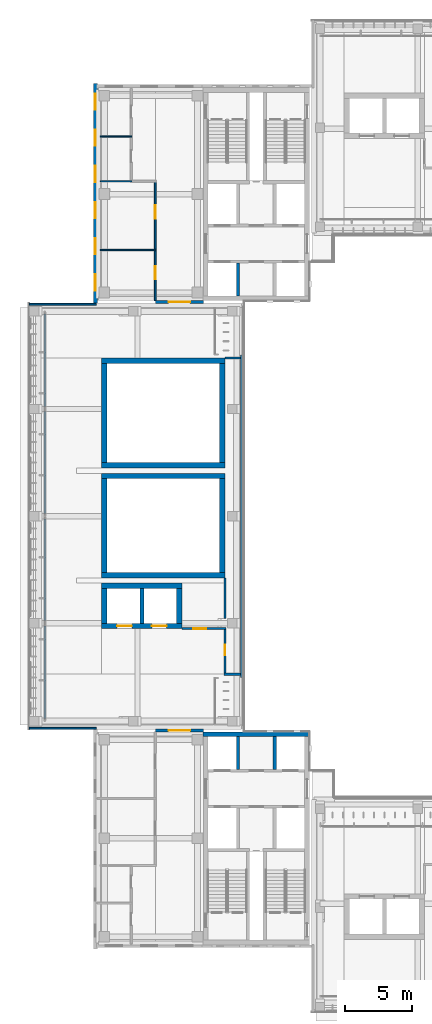
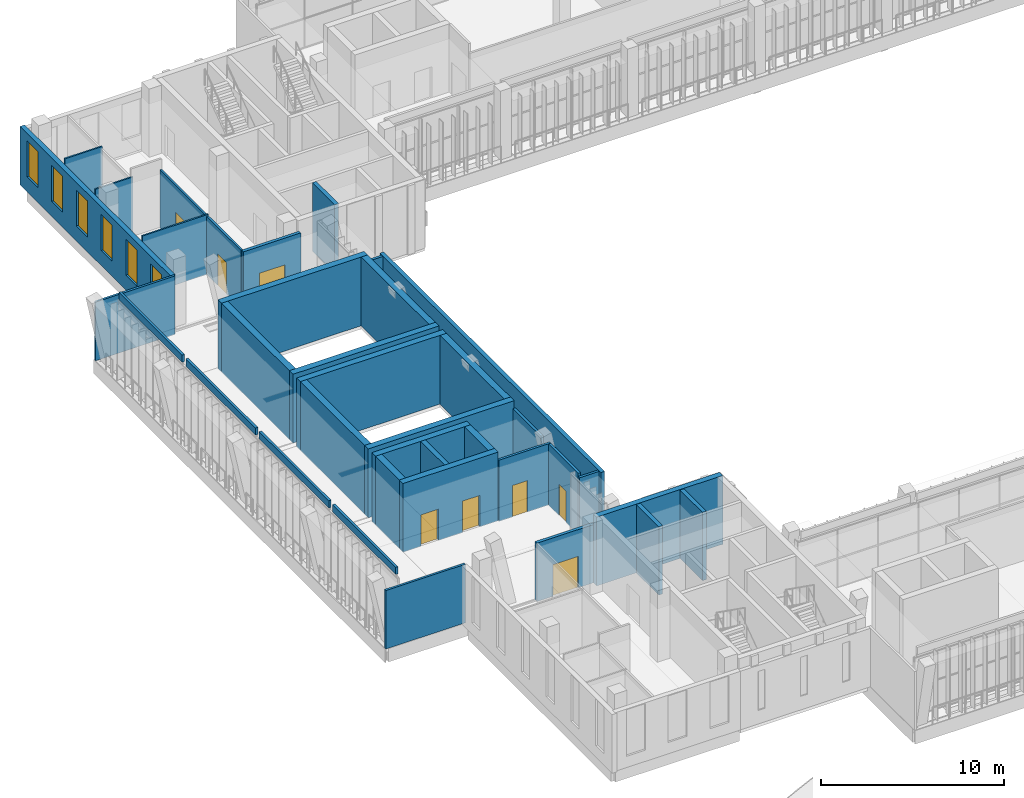
# One storey, part 46 of 73: 36 walls, 8 doors, 6 windows, 14 openings.
"""IFC4 building model written with IfcOpenShell, lengths in metres."""

from ifc_helpers import new_model, si_unit, direction, frame, frame_2d, origin, place, context, subcontext, project, spatial, rectangle, extrude, material, layer, layer_set, type_object, element, fill, save


model = new_model("IFC4")

# Units and contexts
model_context = context("Model", 3, precision=1e-05, world=origin(), true_north=direction((0.0, 1.0)))
body_context = subcontext(model_context, "Body", "Model", "MODEL_VIEW")
ifc_project = project(units=[si_unit("LENGTHUNIT", "METRE"), si_unit("AREAUNIT", "SQUARE_METRE"), si_unit("VOLUMEUNIT", "CUBIC_METRE"), si_unit("PLANEANGLEUNIT", "RADIAN"), si_unit("MASSUNIT", "GRAM", prefix="KILO")], contexts=[model_context])

# Site, building, storey
site_placement = place(None, origin())
site = spatial("IfcSite", under=ifc_project, at=site_placement, CompositionType="ELEMENT")
building_placement = place(site_placement, origin())
building = spatial("IfcBuilding", under=site, at=building_placement, Name="Lantern Court Media Centre", CompositionType="ELEMENT")
storey_placement = place(building_placement, frame((0.0, 0.0, 24.0)))
storey = spatial("IfcBuildingStorey", under=building, at=storey_placement, Name="L05", CompositionType="ELEMENT", Elevation=24.0)

# Wall, openings, doors
ifc_material_1 = material(Name="Gypsum board partition")
ifc_layer_1 = layer(ifc_material_1, 0.125)
ifc_layer_set_1 = layer_set([ifc_layer_1], Name="Gypsum board partition")
wall_type_1 = type_object("IfcWallType", Name="Corridor partition 125", PredefinedType="PARTITIONING", material=ifc_layer_set_1)
wall_1_placement = place(storey_placement, frame((12.39990234375, 96.10009765625, 0.0), z_axis=(0.0, 0.0, 1.0), x_axis=(0.0, 1.0, 0.0)))
wall_1 = element("IfcWall", 1, at=wall_1_placement, inside=storey, type_object=wall_type_1, Name="L05 partition 026", PredefinedType="PARTITIONING", context=body_context, shape_type="SweptSolid", body=[
    extrude(rectangle(XDim=8.843994140625, YDim=0.125, at=frame_2d((4.421875, 0.0))), origin(), (0.0, 0.0, 1.0), 3.8798828125),
])
opening_1_placement = place(wall_1_placement, frame((6.117431640625, 0.0, 0.0)))
opening_1 = element("IfcOpeningElement", 2, at=opening_1_placement, cuts=wall_1, Name="Opening L05-023", PredefinedType="OPENING", context=body_context, shape_type="SweptSolid", body=[
    extrude(rectangle(XDim=1.0, YDim=2.10009765625, at=frame_2d((0.5, 1.050048828125))), frame((0.0, 0.072509765625, 0.0), z_axis=(0.0, -1.0, 0.0), x_axis=(1.0, 0.0, 0.0)), (0.0, 0.0, 1.0), 0.14501953125),
])
opening_2_placement = place(wall_1_placement, frame((1.5751953125, 0.0, 0.0)))
opening_2 = element("IfcOpeningElement", 3, at=opening_2_placement, cuts=wall_1, Name="Opening L05-024", PredefinedType="OPENING", context=body_context, shape_type="SweptSolid", body=[
    extrude(rectangle(XDim=1.0, YDim=2.10009765625, at=frame_2d((0.5, 1.050048828125))), frame((0.0, 0.072509765625, 0.0), z_axis=(0.0, -1.0, 0.0), x_axis=(1.0, 0.0, 0.0)), (0.0, 0.0, 1.0), 0.14501953125),
])
ifc_material_2 = material(Name="Solid-core timber door leaf", Category="wood")
door_type_1 = type_object("IfcDoorType", Name="Single door 1000x2100", OperationType="NOTDEFINED", PredefinedType="DOOR", material=ifc_material_2)
door_1_placement = place(opening_1_placement, origin())
door_1 = element("IfcDoor", 4, at=door_1_placement, inside=storey, type_object=door_type_1, Name="L05 Production Office 12 door", OperationType="SINGLE_SWING_RIGHT", OverallHeight=2.10009765625, OverallWidth=1.0, PredefinedType="DOOR", context=body_context, shape_type="SweptSolid", body=[
    extrude(rectangle(XDim=1.0, YDim=2.10009765625, at=frame_2d((0.5, 1.050048828125))), frame((0.0, 0.02490234375, 0.0), z_axis=(0.0, -1.0, 0.0), x_axis=(1.0, 0.0, 0.0)), (0.0, 0.0, 1.0), 0.050048828125),
])
fill(opening_1, door_1)
door_2_placement = place(opening_2_placement, origin())
door_2 = element("IfcDoor", 5, at=door_2_placement, inside=storey, type_object=door_type_1, Name="L05 Server Room 04 door", OperationType="SINGLE_SWING_LEFT", OverallHeight=2.10009765625, OverallWidth=1.0, PredefinedType="DOOR", context=body_context, shape_type="SweptSolid", body=[
    extrude(rectangle(XDim=1.0, YDim=2.10009765625, at=frame_2d((0.5, 1.050048828125))), frame((0.0, 0.02490234375, 0.0), z_axis=(0.0, -1.0, 0.0), x_axis=(1.0, 0.0, 0.0)), (0.0, 0.0, 1.0), 0.050048828125),
])
fill(opening_2, door_2)

# Walls
ifc_material_3 = material(Name="Insulated rendered blockwork", Category="masonry")
ifc_layer_2 = layer(ifc_material_3, 0.14990234375)
ifc_layer_set_2 = layer_set([ifc_layer_2], Name="Insulated rendered blockwork")
wall_type_2 = type_object("IfcWallType", Name="Head infill wall 150", PredefinedType="SOLIDWALL", material=ifc_layer_set_2)
wall_2_placement = place(storey_placement, frame((4.14990234375, 64.89990234375, 4.10009765625), z_axis=(0.0, 0.0, 1.0), x_axis=(0.0, 1.0, 0.0)))
element("IfcWall", 6, at=wall_2_placement, inside=storey, type_object=wall_type_2, Name="Head infill wall W outer L05", PredefinedType="SOLIDWALL", context=body_context, shape_type="SweptSolid", body=[
    extrude(rectangle(XDim=6.900146484375, YDim=0.14990234375, at=frame_2d((3.4501953125, 0.0))), origin(), (0.0, 0.0, 1.0), 0.47998046875),
])
for number, where, z_axis, x_axis, name in (
    (7, (4.14990234375, 72.199951171875, 4.10009765625), (0.0, 0.0, 1.0), (0.0, 1.0, 0.0), "Head infill wall W outer L05"),
    (8, (4.14990234375, 80.199951171875, 4.10009765625), (0.0, 0.0, 1.0), (0.0, 1.0, 0.0), "Head infill wall W outer L05"),
):
    element("IfcWall", number, at=place(storey_placement, frame(where, z_axis=z_axis, x_axis=x_axis)), inside=storey, type_object=wall_type_2, Name=name, PredefinedType="SOLIDWALL", context=body_context, shape_type="SweptSolid", body=[
        extrude(rectangle(XDim=7.60009765625, YDim=0.14990234375, at=frame_2d((3.800048828125, 0.0))), origin(), (0.0, 0.0, 1.0), 0.47998046875),
    ])
wall_3_placement = place(storey_placement, frame((4.14990234375, 88.199951171875, 4.10009765625), z_axis=(0.0, 0.0, 1.0), x_axis=(0.0, 1.0, 0.0)))
element("IfcWall", 9, at=wall_3_placement, inside=storey, type_object=wall_type_2, Name="Head infill wall W outer L05", PredefinedType="SOLIDWALL", context=body_context, shape_type="SweptSolid", body=[
    extrude(rectangle(XDim=6.900146484375, YDim=0.14990234375, at=frame_2d((3.4501953125, 0.0))), origin(), (0.0, 0.0, 1.0), 0.47998046875),
])

# Wall, openings, windows
ifc_material_4 = material(Name="Honed limestone cladding on blockwork", Category="masonry")
ifc_layer_3 = layer(ifc_material_4, 0.300048828125)
ifc_layer_set_3 = layer_set([ifc_layer_3], Name="Honed limestone cladding on blockwork")
wall_type_3 = type_object("IfcWallType", Name="Limestone block wall 300", PredefinedType="SOLIDWALL", material=ifc_layer_set_3)
wall_4_placement = place(storey_placement, frame((7.929931640625, 95.89990234375, 0.0), z_axis=(0.0, 0.0, 1.0), x_axis=(0.0, 1.0, 0.0)))
wall_4 = element("IfcWall", 10, at=wall_4_placement, inside=storey, type_object=wall_type_3, Name="Limestone wall NW W L05", PredefinedType="SOLIDWALL", context=body_context, shape_type="SweptSolid", body=[
    extrude(rectangle(XDim=16.400146484375, YDim=0.300048828125, at=frame_2d((8.2001953125, 0.0))), origin(), (0.0, 0.0, 1.0), 3.89990234375),
])
opening_3_placement = place(wall_4_placement, frame((0.949951171875, 0.0, 1.0)))
opening_3 = element("IfcOpeningElement", 11, at=opening_3_placement, cuts=wall_4, Name="Opening WN-A", PredefinedType="OPENING", context=body_context, shape_type="SweptSolid", body=[
    extrude(rectangle(XDim=1.199951171875, YDim=2.39990234375, at=frame_2d((0.60009765625, 1.199951171875))), frame((0.0, 0.159912109375, 0.0), z_axis=(0.0, -1.0, 0.0), x_axis=(1.0, 0.0, 0.0)), (0.0, 0.0, 1.0), 0.320068359375),
])
opening_4_placement = place(wall_4_placement, frame((3.64990234375, 0.0, 1.0)))
opening_4 = element("IfcOpeningElement", 12, at=opening_4_placement, cuts=wall_4, Name="Opening WN-A", PredefinedType="OPENING", context=body_context, shape_type="SweptSolid", body=[
    extrude(rectangle(XDim=1.199951171875, YDim=2.39990234375, at=frame_2d((0.60009765625, 1.199951171875))), frame((0.0, 0.159912109375, 0.0), z_axis=(0.0, -1.0, 0.0), x_axis=(1.0, 0.0, 0.0)), (0.0, 0.0, 1.0), 0.320068359375),
])
opening_5_placement = place(wall_4_placement, frame((6.35009765625, 0.0, 1.0)))
opening_5 = element("IfcOpeningElement", 13, at=opening_5_placement, cuts=wall_4, Name="Opening WN-A", PredefinedType="OPENING", context=body_context, shape_type="SweptSolid", body=[
    extrude(rectangle(XDim=1.199951171875, YDim=2.39990234375, at=frame_2d((0.60009765625, 1.199951171875))), frame((0.0, 0.159912109375, 0.0), z_axis=(0.0, -1.0, 0.0), x_axis=(1.0, 0.0, 0.0)), (0.0, 0.0, 1.0), 0.320068359375),
])
opening_6_placement = place(wall_4_placement, frame((9.050048828125, 0.0, 1.0)))
opening_6 = element("IfcOpeningElement", 14, at=opening_6_placement, cuts=wall_4, Name="Opening WN-A", PredefinedType="OPENING", context=body_context, shape_type="SweptSolid", body=[
    extrude(rectangle(XDim=1.199951171875, YDim=2.39990234375, at=frame_2d((0.60009765625, 1.199951171875))), frame((0.0, 0.159912109375, 0.0), z_axis=(0.0, -1.0, 0.0), x_axis=(1.0, 0.0, 0.0)), (0.0, 0.0, 1.0), 0.320068359375),
])
opening_7_placement = place(wall_4_placement, frame((11.75, 0.0, 1.0)))
opening_7 = element("IfcOpeningElement", 15, at=opening_7_placement, cuts=wall_4, Name="Opening WN-A", PredefinedType="OPENING", context=body_context, shape_type="SweptSolid", body=[
    extrude(rectangle(XDim=1.199951171875, YDim=2.39990234375, at=frame_2d((0.60009765625, 1.199951171875))), frame((0.0, 0.159912109375, 0.0), z_axis=(0.0, -1.0, 0.0), x_axis=(1.0, 0.0, 0.0)), (0.0, 0.0, 1.0), 0.320068359375),
])
opening_8_placement = place(wall_4_placement, frame((14.449951171875, 0.0, 1.0)))
opening_8 = element("IfcOpeningElement", 16, at=opening_8_placement, cuts=wall_4, Name="Opening WN-A", PredefinedType="OPENING", context=body_context, shape_type="SweptSolid", body=[
    extrude(rectangle(XDim=1.199951171875, YDim=2.39990234375, at=frame_2d((0.60009765625, 1.199951171875))), frame((0.0, 0.159912109375, 0.0), z_axis=(0.0, -1.0, 0.0), x_axis=(1.0, 0.0, 0.0)), (0.0, 0.0, 1.0), 0.320068359375),
])
ifc_material_5 = material(Name="Anodised aluminium and glass", Category="aluminium")
window_type = type_object("IfcWindowType", Name="Attic window 1200x2400", PartitioningType="SINGLE_PANEL", PredefinedType="WINDOW", material=ifc_material_5)
window_1_placement = place(opening_3_placement, origin())
window_1 = element("IfcWindow", 17, at=window_1_placement, inside=storey, type_object=window_type, Name="Window NW W L05", OverallHeight=2.39990234375, OverallWidth=1.199951171875, PartitioningType="SINGLE_PANEL", PredefinedType="WINDOW", context=body_context, shape_type="SweptSolid", body=[
    extrude(rectangle(XDim=1.199951171875, YDim=2.39990234375, at=frame_2d((0.60009765625, 1.199951171875))), frame((0.0, 0.030029296875, 0.0), z_axis=(0.0, -1.0, 0.0), x_axis=(1.0, 0.0, 0.0)), (0.0, 0.0, 1.0), 0.06005859375),
])
fill(opening_3, window_1)
window_2_placement = place(opening_4_placement, origin())
window_2 = element("IfcWindow", 18, at=window_2_placement, inside=storey, type_object=window_type, Name="Window NW W L05", OverallHeight=2.39990234375, OverallWidth=1.199951171875, PartitioningType="SINGLE_PANEL", PredefinedType="WINDOW", context=body_context, shape_type="SweptSolid", body=[
    extrude(rectangle(XDim=1.199951171875, YDim=2.39990234375, at=frame_2d((0.60009765625, 1.199951171875))), frame((0.0, 0.030029296875, 0.0), z_axis=(0.0, -1.0, 0.0), x_axis=(1.0, 0.0, 0.0)), (0.0, 0.0, 1.0), 0.06005859375),
])
fill(opening_4, window_2)
window_3_placement = place(opening_5_placement, origin())
window_3 = element("IfcWindow", 19, at=window_3_placement, inside=storey, type_object=window_type, Name="Window NW W L05", OverallHeight=2.39990234375, OverallWidth=1.199951171875, PartitioningType="SINGLE_PANEL", PredefinedType="WINDOW", context=body_context, shape_type="SweptSolid", body=[
    extrude(rectangle(XDim=1.199951171875, YDim=2.39990234375, at=frame_2d((0.60009765625, 1.199951171875))), frame((0.0, 0.030029296875, 0.0), z_axis=(0.0, -1.0, 0.0), x_axis=(1.0, 0.0, 0.0)), (0.0, 0.0, 1.0), 0.06005859375),
])
fill(opening_5, window_3)
window_4_placement = place(opening_6_placement, origin())
window_4 = element("IfcWindow", 20, at=window_4_placement, inside=storey, type_object=window_type, Name="Window NW W L05", OverallHeight=2.39990234375, OverallWidth=1.199951171875, PartitioningType="SINGLE_PANEL", PredefinedType="WINDOW", context=body_context, shape_type="SweptSolid", body=[
    extrude(rectangle(XDim=1.199951171875, YDim=2.39990234375, at=frame_2d((0.60009765625, 1.199951171875))), frame((0.0, 0.030029296875, 0.0), z_axis=(0.0, -1.0, 0.0), x_axis=(1.0, 0.0, 0.0)), (0.0, 0.0, 1.0), 0.06005859375),
])
fill(opening_6, window_4)
window_5_placement = place(opening_7_placement, origin())
window_5 = element("IfcWindow", 21, at=window_5_placement, inside=storey, type_object=window_type, Name="Window NW W L05", OverallHeight=2.39990234375, OverallWidth=1.199951171875, PartitioningType="SINGLE_PANEL", PredefinedType="WINDOW", context=body_context, shape_type="SweptSolid", body=[
    extrude(rectangle(XDim=1.199951171875, YDim=2.39990234375, at=frame_2d((0.60009765625, 1.199951171875))), frame((0.0, 0.030029296875, 0.0), z_axis=(0.0, -1.0, 0.0), x_axis=(1.0, 0.0, 0.0)), (0.0, 0.0, 1.0), 0.06005859375),
])
fill(opening_7, window_5)
window_6_placement = place(opening_8_placement, origin())
window_6 = element("IfcWindow", 22, at=window_6_placement, inside=storey, type_object=window_type, Name="Window NW W L05", OverallHeight=2.39990234375, OverallWidth=1.199951171875, PartitioningType="SINGLE_PANEL", PredefinedType="WINDOW", context=body_context, shape_type="SweptSolid", body=[
    extrude(rectangle(XDim=1.199951171875, YDim=2.39990234375, at=frame_2d((0.60009765625, 1.199951171875))), frame((0.0, 0.030029296875, 0.0), z_axis=(0.0, -1.0, 0.0), x_axis=(1.0, 0.0, 0.0)), (0.0, 0.0, 1.0), 0.06005859375),
])
fill(opening_8, window_6)

# Walls
ifc_layer_4 = layer(ifc_material_4, 0.139892578125)
ifc_layer_set_4 = layer_set([ifc_layer_4], Name="Honed limestone cladding on blockwork")
wall_type_4 = type_object("IfcWallType", Name="Limestone closure wall 140", PredefinedType="SOLIDWALL", material=ifc_layer_set_4)
for number, where, z_axis, x_axis, name in (
    (23, (3.0, 64.169921875, 0.0), (0.0, 0.0, 1.0), (1.0, 0.0, 0.0), "Limestone closure wall W-SW L05"),
    (24, (3.0, 95.830078125, 0.0), (0.0, 0.0, 1.0), (1.0, 0.0, 0.0), "Limestone closure wall W-NW L05"),
):
    element("IfcWall", number, at=place(storey_placement, frame(where, z_axis=z_axis, x_axis=x_axis)), inside=storey, type_object=wall_type_4, Name=name, PredefinedType="SOLIDWALL", context=body_context, shape_type="SweptSolid", body=[
        extrude(rectangle(XDim=5.0, YDim=0.139892578125, at=frame_2d((2.5, 0.0))), origin(), (0.0, 0.0, 1.0), 3.89990234375),
    ])
ifc_layer_5 = layer(ifc_material_4, 0.25)
ifc_layer_set_5 = layer_set([ifc_layer_5], Name="Honed limestone cladding on blockwork")
wall_type_5 = type_object("IfcWallType", Name="Limestone flank wall 250", PredefinedType="SOLIDWALL", material=ifc_layer_set_5)
wall_5_placement = place(storey_placement, frame((18.875, 67.949951171875, 0.0), z_axis=(0.0, 0.0, 1.0), x_axis=(0.0, 1.0, 0.0)))
element("IfcWall", 25, at=wall_5_placement, inside=storey, type_object=wall_type_5, Name="Limestone flank wall W inner L05", PredefinedType="SOLIDWALL", context=body_context, shape_type="SweptSolid", body=[
    extrude(rectangle(XDim=24.10009765625, YDim=0.25, at=frame_2d((12.050048828125, 0.0))), origin(), (0.0, 0.0, 1.0), 3.89990234375),
])

# Wall, opening, door
ifc_material_6 = material(Name="Fire-rated gypsum board")
ifc_layer_6 = layer(ifc_material_6, 0.199951171875)
ifc_layer_set_6 = layer_set([ifc_layer_6], Name="Fire-rated gypsum board")
wall_type_6 = type_object("IfcWallType", Name="Movement-joint compartment wall 200", PredefinedType="PARTITIONING", material=ifc_layer_set_6)
wall_6_placement = place(storey_placement, frame((12.39990234375, 64.0, 0.0), z_axis=(0.0, 0.0, 1.0), x_axis=(1.0, 0.0, 0.0)))
wall_6 = element("IfcWall", 26, at=wall_6_placement, inside=storey, type_object=wall_type_6, Name="L05 movement-joint wall 19", PredefinedType="PARTITIONING", context=body_context, shape_type="SweptSolid", body=[
    extrude(rectangle(XDim=3.60009765625, YDim=0.199951171875, at=frame_2d((1.800048828125, 0.0))), origin(), (0.0, 0.0, 1.0), 3.8798828125),
])
opening_9_placement = place(wall_6_placement, frame((1.0, 0.0, 0.0)))
opening_9 = element("IfcOpeningElement", 27, at=opening_9_placement, cuts=wall_6, Name="Opening L05-J19", PredefinedType="OPENING", context=body_context, shape_type="SweptSolid", body=[
    extrude(rectangle(XDim=1.60009765625, YDim=2.10009765625, at=frame_2d((0.800048828125, 1.050048828125))), frame((0.0, 0.10986328125, 0.0), z_axis=(0.0, -1.0, 0.0), x_axis=(1.0, 0.0, 0.0)), (0.0, 0.0, 1.0), 0.219970703125),
])
ifc_material_7 = material(Name="Steel door leaf", Category="steel")
door_type_2 = type_object("IfcDoorType", Name="Movement-joint fire door pair 1600x2100", OperationType="NOTDEFINED", PredefinedType="DOOR", material=ifc_material_7)
door_3_placement = place(opening_9_placement, frame((1.60009765625, 0.0, 0.0), z_axis=(0.0, 0.0, 1.0), x_axis=(-1.0, 0.0, 0.0)))
door_3 = element("IfcDoor", 28, at=door_3_placement, inside=storey, type_object=door_type_2, Name="L05 bar end lobby door 19", OperationType="DOUBLE_DOOR_SINGLE_SWING", OverallHeight=2.10009765625, OverallWidth=1.60009765625, PredefinedType="DOOR", context=body_context, shape_type="SweptSolid", body=[
    extrude(rectangle(XDim=1.60009765625, YDim=2.10009765625, at=frame_2d((0.800048828125, 1.050048828125))), frame((0.0, 0.02490234375, 0.0), z_axis=(0.0, -1.0, 0.0), x_axis=(1.0, 0.0, 0.0)), (0.0, 0.0, 1.0), 0.050048828125),
])
fill(opening_9, door_3)

wall_7_placement = place(storey_placement, frame((12.39990234375, 96.0, 0.0), z_axis=(0.0, 0.0, 1.0), x_axis=(1.0, 0.0, 0.0)))
wall_7 = element("IfcWall", 29, at=wall_7_placement, inside=storey, type_object=wall_type_6, Name="L05 movement-joint wall 20", PredefinedType="PARTITIONING", context=body_context, shape_type="SweptSolid", body=[
    extrude(rectangle(XDim=3.60009765625, YDim=0.199951171875, at=frame_2d((1.800048828125, 0.0))), origin(), (0.0, 0.0, 1.0), 3.8798828125),
])
opening_10_placement = place(wall_7_placement, frame((1.0, 0.0, 0.0)))
opening_10 = element("IfcOpeningElement", 30, at=opening_10_placement, cuts=wall_7, Name="Opening L05-J20", PredefinedType="OPENING", context=body_context, shape_type="SweptSolid", body=[
    extrude(rectangle(XDim=1.60009765625, YDim=2.10009765625, at=frame_2d((0.800048828125, 1.050048828125))), frame((0.0, 0.10986328125, 0.0), z_axis=(0.0, -1.0, 0.0), x_axis=(1.0, 0.0, 0.0)), (0.0, 0.0, 1.0), 0.219970703125),
])
door_4_placement = place(opening_10_placement, origin())
door_4 = element("IfcDoor", 31, at=door_4_placement, inside=storey, type_object=door_type_2, Name="L05 bar end lobby door 20", OperationType="DOUBLE_DOOR_SINGLE_SWING", OverallHeight=2.10009765625, OverallWidth=1.60009765625, PredefinedType="DOOR", context=body_context, shape_type="SweptSolid", body=[
    extrude(rectangle(XDim=1.60009765625, YDim=2.10009765625, at=frame_2d((0.800048828125, 1.050048828125))), frame((0.0, 0.02490234375, 0.0), z_axis=(0.0, -1.0, 0.0), x_axis=(1.0, 0.0, 0.0)), (0.0, 0.0, 1.0), 0.050048828125),
])
fill(opening_10, door_4)

# Walls
ifc_layer_7 = layer(ifc_material_1, 0.10009765625)
ifc_layer_set_7 = layer_set([ifc_layer_7], Name="Gypsum board partition")
wall_type_7 = type_object("IfcWallType", Name="Partition 100", PredefinedType="PARTITIONING", material=ifc_layer_set_7)
wall_8_placement = place(storey_placement, frame((8.300048828125, 99.87890625, 0.0), z_axis=(0.0, 0.0, 1.0), x_axis=(1.0, 0.0, 0.0)))
element("IfcWall", 32, at=wall_8_placement, inside=storey, type_object=wall_type_7, Name="L05 partition 041", PredefinedType="PARTITIONING", context=body_context, shape_type="SweptSolid", body=[
    extrude(rectangle(XDim=4.162353515625, YDim=0.10009765625, at=frame_2d((2.0810546875, 0.0))), origin(), (0.0, 0.0, 1.0), 3.97998046875),
])
for number, where, z_axis, x_axis, name in (
    (33, (8.300048828125, 105.007080078125, 0.0), (0.0, 0.0, 1.0), (1.0, 0.0, 0.0), "L05 partition 042"),
    (34, (8.300048828125, 108.35302734375, 0.0), (0.0, 0.0, 1.0), (1.0, 0.0, 0.0), "L05 partition 044"),
):
    element("IfcWall", number, at=place(storey_placement, frame(where, z_axis=z_axis, x_axis=x_axis)), inside=storey, type_object=wall_type_7, Name=name, PredefinedType="PARTITIONING", context=body_context, shape_type="SweptSolid", body=[
        extrude(rectangle(XDim=2.362548828125, YDim=0.10009765625, at=frame_2d((1.18115234375, 0.0))), origin(), (0.0, 0.0, 1.0), 3.97998046875),
    ])

# Wall, opening, door
ifc_material_8 = material(Name="Concrete blockwork C20", Category="masonry")
ifc_layer_8 = layer(ifc_material_8, 0.14990234375)
ifc_layer_set_8 = layer_set([ifc_layer_8], Name="Concrete blockwork C20")
wall_type_8 = type_object("IfcWallType", Name="Partition 150 masonry", PredefinedType="PARTITIONING", material=ifc_layer_set_8)
wall_9_placement = place(storey_placement, frame((14.39990234375, 71.60009765625, 0.0), z_axis=(0.0, 0.0, 1.0), x_axis=(1.0, 0.0, 0.0)))
wall_9 = element("IfcWall", 35, at=wall_9_placement, inside=storey, type_object=wall_type_8, Name="L05 partition 021", PredefinedType="PARTITIONING", context=body_context, shape_type="SweptSolid", body=[
    extrude(rectangle(XDim=3.280029296875, YDim=0.14990234375, at=frame_2d((1.64013671875, 0.0))), origin(), (0.0, 0.0, 1.0), 4.080078125),
])
opening_11_placement = place(wall_9_placement, frame((0.85009765625, 0.0, 0.0)))
opening_11 = element("IfcOpeningElement", 36, at=opening_11_placement, cuts=wall_9, Name="Opening L05-008", PredefinedType="OPENING", context=body_context, shape_type="SweptSolid", body=[
    extrude(rectangle(XDim=0.949951171875, YDim=2.10009765625, at=frame_2d((0.47509765625, 1.050048828125))), frame((0.0, 0.0849609375, 0.0), z_axis=(0.0, -1.0, 0.0), x_axis=(1.0, 0.0, 0.0)), (0.0, 0.0, 1.0), 0.169921875),
])
door_type_3 = type_object("IfcDoorType", Name="Accessible WC door 950x2100", OperationType="NOTDEFINED", PredefinedType="DOOR", material=ifc_material_2)
door_5_placement = place(opening_11_placement, origin())
door_5 = element("IfcDoor", 37, at=door_5_placement, inside=storey, type_object=door_type_3, Name="L05 Accessible WC door", OperationType="SINGLE_SWING_LEFT", OverallHeight=2.10009765625, OverallWidth=0.949951171875, PredefinedType="DOOR", context=body_context, shape_type="SweptSolid", body=[
    extrude(rectangle(XDim=0.949951171875, YDim=2.10009765625, at=frame_2d((0.47509765625, 1.050048828125))), frame((0.0, 0.02490234375, 0.0), z_axis=(0.0, -1.0, 0.0), x_axis=(1.0, 0.0, 0.0)), (0.0, 0.0, 1.0), 0.050048828125),
])
fill(opening_11, door_5)

# Walls
ifc_material_9 = material(Name="Concrete C40", Category="concrete")
ifc_layer_9 = layer(ifc_material_9, 0.35009765625)
ifc_layer_set_9 = layer_set([ifc_layer_9], Name="Concrete C40")
wall_type_9 = type_object("IfcWallType", Name="RC CORE WALL 350", PredefinedType="SHEAR", material=ifc_layer_set_9)
wall_10_placement = place(storey_placement, frame((15.949951171875, 63.72509765625, 0.0), z_axis=(0.0, 0.0, 1.0), x_axis=(1.0, 0.0, 0.0)))
element("IfcWall", 38, at=wall_10_placement, inside=storey, type_object=wall_type_9, Name="WC-SW-L05-N", PredefinedType="SHEAR", context=body_context, shape_type="SweptSolid", body=[
    extrude(rectangle(XDim=7.949951171875, YDim=0.35009765625, at=frame_2d((3.97509765625, 0.0))), origin(), (0.0, 0.0, 1.0), 4.580078125),
])
ifc_layer_10 = layer(ifc_material_9, 0.300048828125)
ifc_layer_set_10 = layer_set([ifc_layer_10], Name="Concrete C40")
wall_type_10 = type_object("IfcWallType", Name="RC SHEAR WALL 300", PredefinedType="SHEAR", material=ifc_layer_set_10)
wall_11_placement = place(storey_placement, frame((11.39990234375, 72.0, 0.0), z_axis=(0.0, 0.0, 1.0), x_axis=(0.0, 1.0, 0.0)))
element("IfcWall", 39, at=wall_11_placement, inside=storey, type_object=wall_type_10, Name="WB-W-LC-L05-D", PredefinedType="SHEAR", context=body_context, shape_type="SweptSolid", body=[
    extrude(rectangle(XDim=2.60009765625, YDim=0.300048828125, at=frame_2d((1.300048828125, 0.0))), origin(), (0.0, 0.0, 1.0), 4.580078125),
])
ifc_layer_11 = layer(ifc_material_9, 0.39990234375)
ifc_layer_set_11 = layer_set([ifc_layer_11], Name="Concrete C40")
wall_type_11 = type_object("IfcWallType", Name="RC SHEAR WALL 400", PredefinedType="SHEAR", material=ifc_layer_set_11)
for number, where, z_axis, x_axis, name in (
    (40, (8.39990234375, 75.60009765625, 0.0), (0.0, 0.0, 1.0), (1.0, 0.0, 0.0), "WB-A7-L05-S"),
    (41, (8.39990234375, 83.0, 0.0), (0.0, 0.0, 1.0), (1.0, 0.0, 0.0), "WB-A7-L05-N"),
):
    element("IfcWall", number, at=place(storey_placement, frame(where, z_axis=z_axis, x_axis=x_axis)), inside=storey, type_object=wall_type_11, Name=name, PredefinedType="SHEAR", context=body_context, shape_type="SweptSolid", body=[
        extrude(rectangle(XDim=9.2001953125, YDim=0.39990234375, at=frame_2d((4.60009765625, 0.0))), origin(), (0.0, 0.0, 1.0), 4.580078125),
    ])
for number, where, z_axis, x_axis, name in (
    (42, (8.60009765625, 75.800048828125, 0.0), (0.0, 0.0, 1.0), (0.0, 1.0, 0.0), "WB-A7-L05-W"),
    (43, (17.39990234375, 75.800048828125, 0.0), (0.0, 0.0, 1.0), (0.0, 1.0, 0.0), "WB-A7-L05-E"),
):
    element("IfcWall", number, at=place(storey_placement, frame(where, z_axis=z_axis, x_axis=x_axis)), inside=storey, type_object=wall_type_11, Name=name, PredefinedType="SHEAR", context=body_context, shape_type="SweptSolid", body=[
        extrude(rectangle(XDim=7.0, YDim=0.39990234375, at=frame_2d((3.5, 0.0))), origin(), (0.0, 0.0, 1.0), 4.580078125),
    ])
for number, where, z_axis, x_axis, name in (
    (44, (8.39990234375, 83.800048828125, 0.0), (0.0, 0.0, 1.0), (1.0, 0.0, 0.0), "WB-A8-L05-S"),
    (45, (8.39990234375, 91.60009765625, 0.0), (0.0, 0.0, 1.0), (1.0, 0.0, 0.0), "WB-A8-L05-N"),
):
    element("IfcWall", number, at=place(storey_placement, frame(where, z_axis=z_axis, x_axis=x_axis)), inside=storey, type_object=wall_type_11, Name=name, PredefinedType="SHEAR", context=body_context, shape_type="SweptSolid", body=[
        extrude(rectangle(XDim=9.2001953125, YDim=0.39990234375, at=frame_2d((4.60009765625, 0.0))), origin(), (0.0, 0.0, 1.0), 4.580078125),
    ])
for number, where, z_axis, x_axis, name in (
    (46, (8.60009765625, 84.0, 0.0), (0.0, 0.0, 1.0), (0.0, 1.0, 0.0), "WB-A8-L05-W"),
    (47, (17.39990234375, 84.0, 0.0), (0.0, 0.0, 1.0), (0.0, 1.0, 0.0), "WB-A8-L05-E"),
):
    element("IfcWall", number, at=place(storey_placement, frame(where, z_axis=z_axis, x_axis=x_axis)), inside=storey, type_object=wall_type_11, Name=name, PredefinedType="SHEAR", context=body_context, shape_type="SweptSolid", body=[
        extrude(rectangle(XDim=7.39990234375, YDim=0.39990234375, at=frame_2d((3.699951171875, 0.0))), origin(), (0.0, 0.0, 1.0), 4.580078125),
    ])

# Wall, openings, doors
wall_12_placement = place(storey_placement, frame((8.39990234375, 71.800048828125, 0.0), z_axis=(0.0, 0.0, 1.0), x_axis=(1.0, 0.0, 0.0)))
wall_12 = element("IfcWall", 48, at=wall_12_placement, inside=storey, type_object=wall_type_11, Name="WB-W-LC-L05-S", PredefinedType="SHEAR", context=body_context, shape_type="SweptSolid", body=[
    extrude(rectangle(XDim=6.0, YDim=0.39990234375, at=frame_2d((3.0, 0.0))), origin(), (0.0, 0.0, 1.0), 4.580078125),
])
opening_12_placement = place(wall_12_placement, frame((1.14990234375, 0.0, 0.0)))
opening_12 = element("IfcOpeningElement", 49, at=opening_12_placement, cuts=wall_12, Name="Opening LD-W-LCP-L05", PredefinedType="OPENING", context=body_context, shape_type="SweptSolid", body=[
    extrude(rectangle(XDim=1.10009765625, YDim=2.10009765625, at=frame_2d((0.550048828125, 1.050048828125))), frame((0.0, 0.2099609375, 0.0), z_axis=(0.0, -1.0, 0.0), x_axis=(1.0, 0.0, 0.0)), (0.0, 0.0, 1.0), 0.419921875),
])
opening_13_placement = place(wall_12_placement, frame((3.75, 0.0, 0.0)))
opening_13 = element("IfcOpeningElement", 50, at=opening_13_placement, cuts=wall_12, Name="Opening LD-W-LCS-L05", PredefinedType="OPENING", context=body_context, shape_type="SweptSolid", body=[
    extrude(rectangle(XDim=1.10009765625, YDim=2.10009765625, at=frame_2d((0.550048828125, 1.050048828125))), frame((0.0, 0.2099609375, 0.0), z_axis=(0.0, -1.0, 0.0), x_axis=(1.0, 0.0, 0.0)), (0.0, 0.0, 1.0), 0.419921875),
])
door_type_4 = type_object("IfcDoorType", Name="Lift landing door 1100x2100", OperationType="DOUBLE_DOOR_SLIDING", PredefinedType="DOOR", material=ifc_material_7)
door_6_placement = place(opening_12_placement, frame((1.10009765625, 0.0, 0.0), z_axis=(0.0, 0.0, 1.0), x_axis=(-1.0, 0.0, 0.0)))
door_6 = element("IfcDoor", 51, at=door_6_placement, inside=storey, type_object=door_type_4, Name="L05 W-LC passenger lift landing door", OperationType="DOUBLE_DOOR_SLIDING", OverallHeight=2.10009765625, OverallWidth=1.10009765625, PredefinedType="DOOR", context=body_context, shape_type="SweptSolid", body=[
    extrude(rectangle(XDim=1.10009765625, YDim=2.10009765625, at=frame_2d((0.550048828125, 1.050048828125))), frame((0.0, 0.02490234375, 0.0), z_axis=(0.0, -1.0, 0.0), x_axis=(1.0, 0.0, 0.0)), (0.0, 0.0, 1.0), 0.050048828125),
])
fill(opening_12, door_6)
door_7_placement = place(opening_13_placement, frame((1.10009765625, 0.0, 0.0), z_axis=(0.0, 0.0, 1.0), x_axis=(-1.0, 0.0, 0.0)))
door_7 = element("IfcDoor", 52, at=door_7_placement, inside=storey, type_object=door_type_4, Name="L05 W-LC service lift landing door", OperationType="DOUBLE_DOOR_SLIDING", OverallHeight=2.10009765625, OverallWidth=1.10009765625, PredefinedType="DOOR", context=body_context, shape_type="SweptSolid", body=[
    extrude(rectangle(XDim=1.10009765625, YDim=2.10009765625, at=frame_2d((0.550048828125, 1.050048828125))), frame((0.0, 0.02490234375, 0.0), z_axis=(0.0, -1.0, 0.0), x_axis=(1.0, 0.0, 0.0)), (0.0, 0.0, 1.0), 0.050048828125),
])
fill(opening_13, door_7)

# Walls
wall_13_placement = place(storey_placement, frame((8.39990234375, 74.800048828125, 0.0), z_axis=(0.0, 0.0, 1.0), x_axis=(1.0, 0.0, 0.0)))
element("IfcWall", 53, at=wall_13_placement, inside=storey, type_object=wall_type_11, Name="WB-W-LC-L05-N", PredefinedType="SHEAR", context=body_context, shape_type="SweptSolid", body=[
    extrude(rectangle(XDim=6.0, YDim=0.39990234375, at=frame_2d((3.0, 0.0))), origin(), (0.0, 0.0, 1.0), 4.580078125),
])
for number, where, z_axis, x_axis, name in (
    (54, (8.60009765625, 72.0, 0.0), (0.0, 0.0, 1.0), (0.0, 1.0, 0.0), "WB-W-LC-L05-W"),
    (55, (14.199951171875, 72.0, 0.0), (0.0, 0.0, 1.0), (0.0, 1.0, 0.0), "WB-W-LC-L05-E"),
):
    element("IfcWall", number, at=place(storey_placement, frame(where, z_axis=z_axis, x_axis=x_axis)), inside=storey, type_object=wall_type_11, Name=name, PredefinedType="SHEAR", context=body_context, shape_type="SweptSolid", body=[
        extrude(rectangle(XDim=2.60009765625, YDim=0.39990234375, at=frame_2d((1.300048828125, 0.0))), origin(), (0.0, 0.0, 1.0), 4.580078125),
    ])
ifc_layer_12 = layer(ifc_material_9, 0.25)
ifc_layer_set_12 = layer_set([ifc_layer_12], Name="Concrete C40")
wall_type_12 = type_object("IfcWallType", Name="RC lift shaft wall 250", PredefinedType="SOLIDWALL", material=ifc_layer_set_12)
for number, where, z_axis, x_axis, name in (
    (56, (18.574951171875, 61.10009765625, 0.0), (0.0, 0.0, 1.0), (0.0, 1.0, 0.0), "L05 SW L1b"),
    (57, (21.324951171875, 61.10009765625, 0.0), (0.0, 0.0, 1.0), (0.0, 1.0, 0.0), "L05 SW L2b"),
    (58, (18.574951171875, 98.89990234375, 0.0), (0.0, 0.0, 1.0), (0.0, -1.0, 0.0), "L05 NW L1b"),
):
    element("IfcWall", number, at=place(storey_placement, frame(where, z_axis=z_axis, x_axis=x_axis)), inside=storey, type_object=wall_type_12, Name=name, PredefinedType="SOLIDWALL", context=body_context, shape_type="SweptSolid", body=[
        extrude(rectangle(XDim=2.449951171875, YDim=0.25, at=frame_2d((1.22509765625, 0.0))), origin(), (0.0, 0.0, 1.0), 4.550048828125),
    ])
ifc_layer_13 = layer(ifc_material_6, 0.159912109375)
ifc_layer_set_13 = layer_set([ifc_layer_13], Name="Fire-rated gypsum board")
wall_type_13 = type_object("IfcWallType", Name="Riser shaft liner wall 160", PredefinedType="PARTITIONING", material=ifc_layer_set_13)
wall_14_placement = place(storey_placement, frame((17.52001953125, 68.199951171875, 0.0), z_axis=(0.0, 0.0, 1.0), x_axis=(1.0, 0.0, 0.0)))
element("IfcWall", 59, at=wall_14_placement, inside=storey, type_object=wall_type_13, Name="L05 partition 015", PredefinedType="PARTITIONING", context=body_context, shape_type="SweptSolid", body=[
    extrude(rectangle(XDim=1.22998046875, YDim=0.159912109375, at=frame_2d((0.614990234375, 0.0))), origin(), (0.0, 0.0, 1.0), 3.8798828125),
])
wall_15_placement = place(storey_placement, frame((17.60498046875, 91.800048828125, 0.0), z_axis=(0.0, 0.0, 1.0), x_axis=(1.0, 0.0, 0.0)))
element("IfcWall", 60, at=wall_15_placement, inside=storey, type_object=wall_type_13, Name="L05 partition 017", PredefinedType="PARTITIONING", context=body_context, shape_type="SweptSolid", body=[
    extrude(rectangle(XDim=1.14501953125, YDim=0.159912109375, at=frame_2d((0.572509765625, 0.0))), origin(), (0.0, 0.0, 1.0), 3.8798828125),
])

# Wall, opening, door
wall_16_placement = place(storey_placement, frame((17.60009765625, 68.280029296875, 0.0), z_axis=(0.0, 0.0, 1.0), x_axis=(0.0, 1.0, 0.0)))
wall_16 = element("IfcWall", 61, at=wall_16_placement, inside=storey, type_object=wall_type_13, Name="L05 partition 019", PredefinedType="PARTITIONING", context=body_context, shape_type="SweptSolid", body=[
    extrude(rectangle(XDim=3.244873046875, YDim=0.159912109375, at=frame_2d((1.62255859375, 0.0))), origin(), (0.0, 0.0, 1.0), 4.080078125),
])
opening_14_placement = place(wall_16_placement, frame((1.320068359375, 0.0, 0.0)))
opening_14 = element("IfcOpeningElement", 62, at=opening_14_placement, cuts=wall_16, Name="Opening L05-009", PredefinedType="OPENING", context=body_context, shape_type="SweptSolid", body=[
    extrude(rectangle(XDim=0.800048828125, YDim=2.10009765625, at=frame_2d((0.39990234375, 1.050048828125))), frame((0.0, 0.08984375, 0.0), z_axis=(0.0, -1.0, 0.0), x_axis=(1.0, 0.0, 0.0)), (0.0, 0.0, 1.0), 0.179931640625),
])
door_type_5 = type_object("IfcDoorType", Name="Riser access fire door 800x2100", OperationType="NOTDEFINED", PredefinedType="DOOR", material=ifc_material_7)
door_8_placement = place(opening_14_placement, frame((0.800048828125, 0.0, 0.0), z_axis=(0.0, 0.0, 1.0), x_axis=(-1.0, 0.0, 0.0)))
door_8 = element("IfcDoor", 63, at=door_8_placement, inside=storey, type_object=door_type_5, Name="L05 Services Duct door", OperationType="SINGLE_SWING_RIGHT", OverallHeight=2.10009765625, OverallWidth=0.800048828125, PredefinedType="DOOR", context=body_context, shape_type="SweptSolid", body=[
    extrude(rectangle(XDim=0.800048828125, YDim=2.10009765625, at=frame_2d((0.39990234375, 1.050048828125))), frame((0.0, 0.02490234375, 0.0), z_axis=(0.0, -1.0, 0.0), x_axis=(1.0, 0.0, 0.0)), (0.0, 0.0, 1.0), 0.050048828125),
])
fill(opening_14, door_8)

# Wall
wall_17_placement = place(storey_placement, frame((17.60009765625, 72.35498046875, 0.0), z_axis=(0.0, 0.0, 1.0), x_axis=(0.0, 1.0, 0.0)))
element("IfcWall", 64, at=wall_17_placement, inside=storey, type_object=wall_type_13, Name="L05 partition 020", PredefinedType="PARTITIONING", context=body_context, shape_type="SweptSolid", body=[
    extrude(rectangle(XDim=3.044921875, YDim=0.159912109375, at=frame_2d((1.5224609375, 0.0))), origin(), (0.0, 0.0, 1.0), 4.080078125),
])

save(model, "model.ifc")
